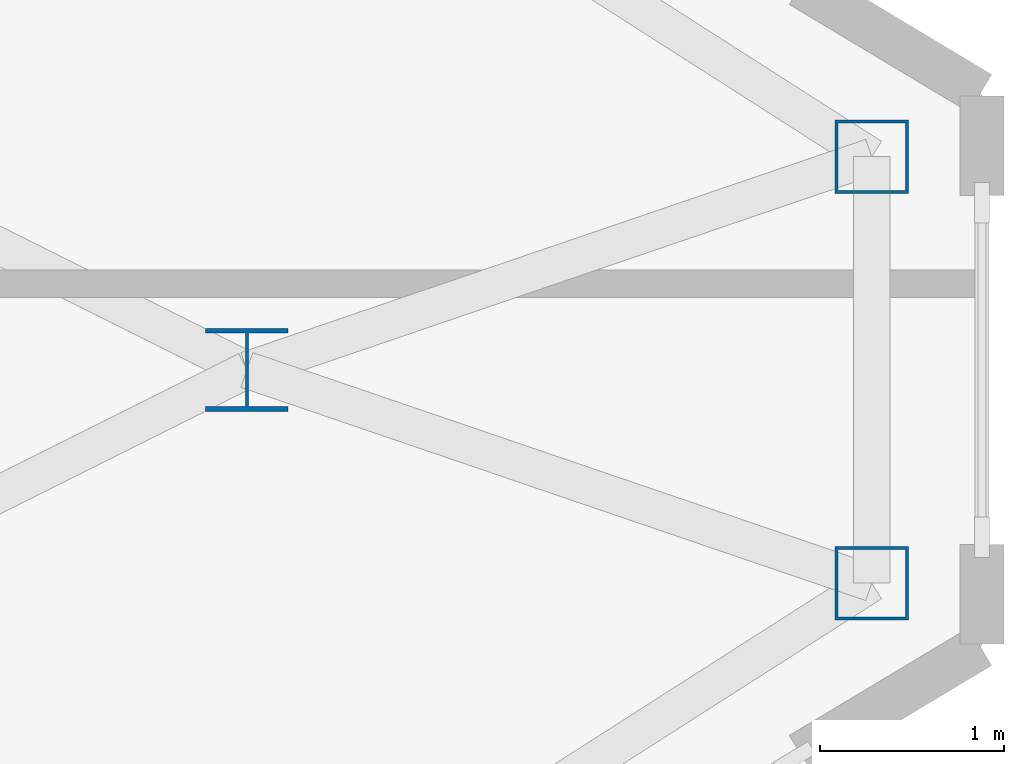
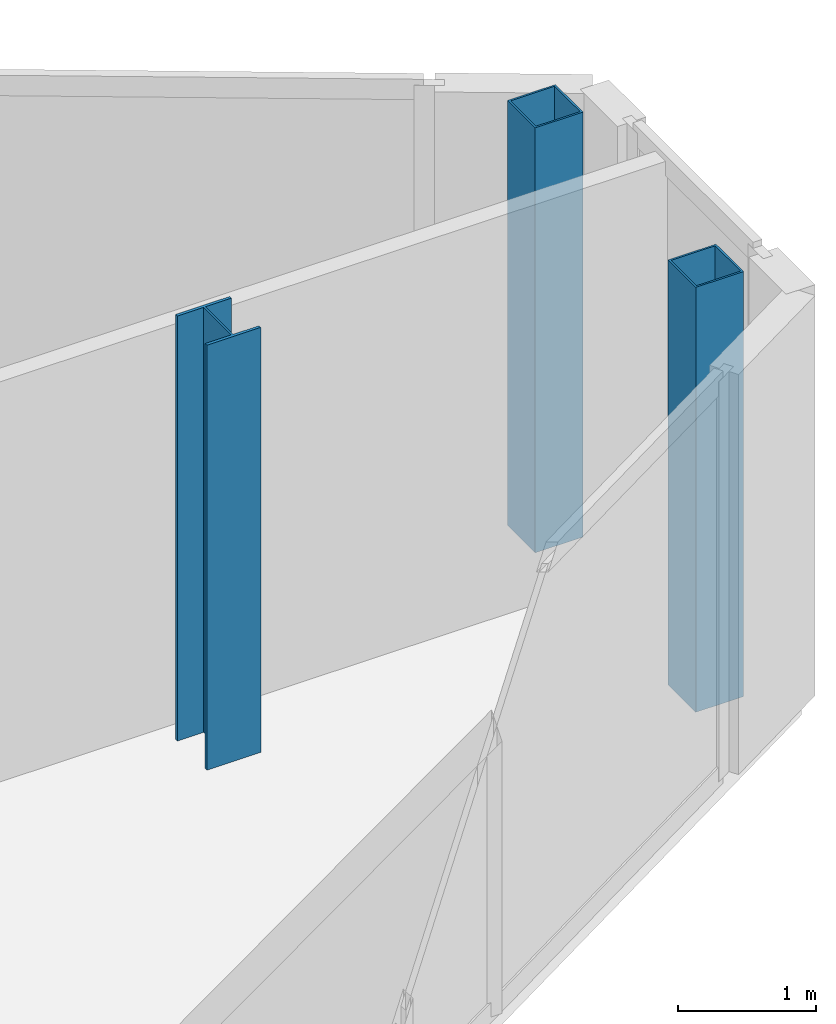
# One storey, part 7 of 29: 3 columns.
"""IFC4 building model written with IfcOpenShell, lengths in metres."""

from ifc_helpers import new_model, si_unit, direction, frame, origin, origin_2d, place, context, subcontext, project, spatial, hollow_rectangle, i_section, extrude, source, transform, mapped, material, material_profile, profile_set, type_object, type_shapes, element, save


model = new_model("IFC4")

# Units and contexts
model_context = context("Model", 3, precision=1e-05, world=origin(), true_north=direction((0.0, 1.0)))
body_context = subcontext(model_context, "Body", "Model", "MODEL_VIEW")
ifc_project = project(units=[si_unit("LENGTHUNIT", "METRE"), si_unit("AREAUNIT", "SQUARE_METRE"), si_unit("VOLUMEUNIT", "CUBIC_METRE"), si_unit("PLANEANGLEUNIT", "RADIAN"), si_unit("MASSUNIT", "GRAM", prefix="KILO")], contexts=[model_context])

# Site, building, storey
site_placement = place(None, origin())
site = spatial("IfcSite", under=ifc_project, at=site_placement, CompositionType="ELEMENT")
building_placement = place(site_placement, origin())
building = spatial("IfcBuilding", under=site, at=building_placement, Name="Seokmaru Belvedere", CompositionType="ELEMENT")
storey_placement = place(building_placement, frame((0.0, 0.0, 246.89990234375)))
storey = spatial("IfcBuildingStorey", under=building, at=storey_placement, Name="L65", CompositionType="ELEMENT", Elevation=246.89990234375)

# Columns
ifc_material = material(Name="Steel SM355 (355 MPa)", Category="steel")
ifc_material_profile_1 = material_profile(ifc_material, i_section(OverallWidth=0.449951171875, OverallDepth=0.449951171875, WebThickness=0.01611328125, FlangeThickness=0.02490234375, at=origin_2d()), Name="H-450x450x16x25")
ifc_profile_set_1 = profile_set([ifc_material_profile_1], Name="Steel SM355 (355 MPa)")
column_type_1 = type_object("IfcColumnType", Name="Sky-Gate Column H-450", PredefinedType="COLUMN", material=ifc_profile_set_1)
shared_shape_1 = source(origin(), body_context, "Body", "SweptSolid", [
    extrude(i_section(OverallWidth=0.449951171875, OverallDepth=0.449951171875, WebThickness=0.01611328125, FlangeThickness=0.02490234375, at=origin_2d()), origin(), (0.0, 0.0, 1.0), 3.75),
])
type_shapes(column_type_1, [shared_shape_1])
column_placement = place(storey_placement, frame((63.5, 0.0, 0.0), z_axis=(0.0, 0.0, 1.0), x_axis=(1.0, 0.0, 0.0)))
element("IfcColumn", 1, at=column_placement, inside=storey, type_object=column_type_1, Name="L65 Column EG3P_1", PredefinedType="COLUMN", context=body_context, shape_type="MappedRepresentation", body=[
    mapped(shared_shape_1, transform((0.0, 0.0, 0.0), scale=1.0)),
])
ifc_material_profile_2 = material_profile(ifc_material, hollow_rectangle(XDim=0.39990234375, YDim=0.39990234375, WallThickness=0.01611328125, at=origin_2d()), Name="HSS-400x400x16")
ifc_profile_set_2 = profile_set([ifc_material_profile_2], Name="Steel SM355 (355 MPa)")
column_type_2 = type_object("IfcColumnType", Name="Perimeter Facet Column HSS-400", PredefinedType="COLUMN", material=ifc_profile_set_2)
shared_shape_2 = source(origin(), body_context, "Body", "SweptSolid", [
    extrude(hollow_rectangle(XDim=0.39990234375, YDim=0.39990234375, WallThickness=0.01611328125, at=origin_2d()), origin(), (0.0, 0.0, 1.0), 3.75),
])
type_shapes(column_type_2, [shared_shape_2])
for number, where, z_axis, x_axis, name in (
    (2, (66.89990234375, -1.160400390625, 0.0), (0.0, 0.0, 1.0), (1.0, 0.0, 0.0), "L65 Column EF2"),
    (3, (66.89990234375, 1.160400390625, 0.0), (0.0, 0.0, 1.0), (1.0, 0.0, 0.0), "L65 Column EF3"),
):
    element("IfcColumn", number, at=place(storey_placement, frame(where, z_axis=z_axis, x_axis=x_axis)), inside=storey, type_object=column_type_2, Name=name, PredefinedType="COLUMN", context=body_context, shape_type="MappedRepresentation", body=[
        mapped(shared_shape_2, transform((0.0, 0.0, 0.0), scale=1.0)),
    ])

save(model, "model.ifc")
